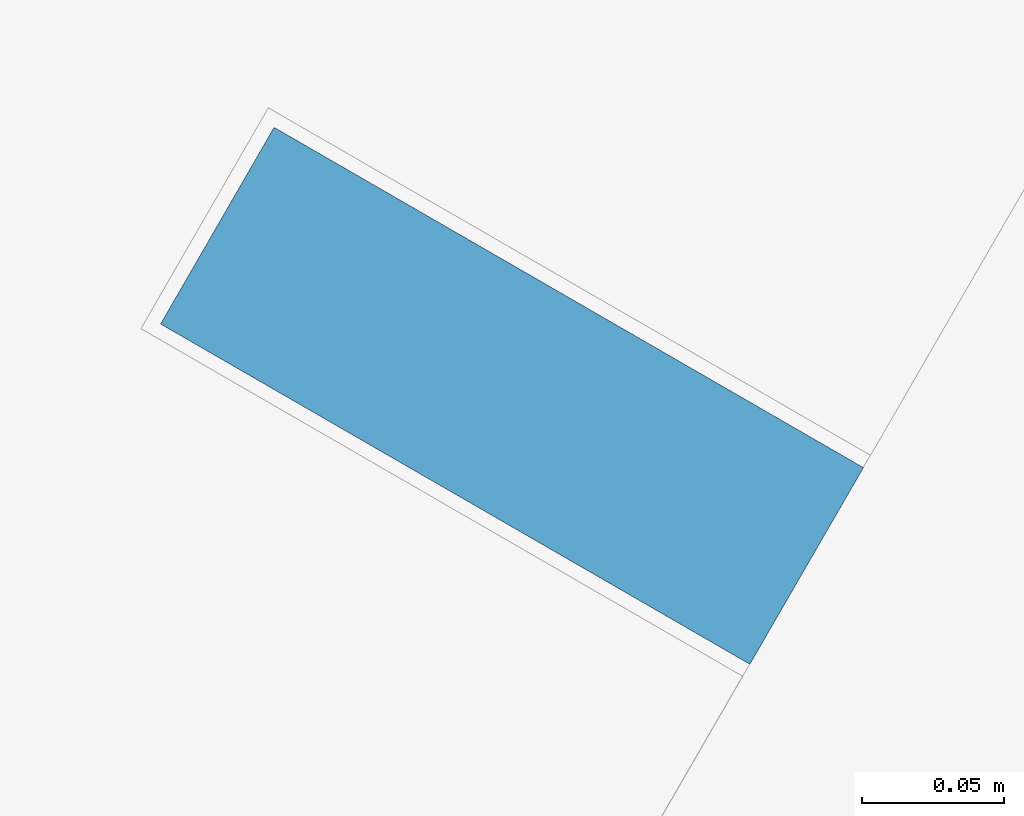
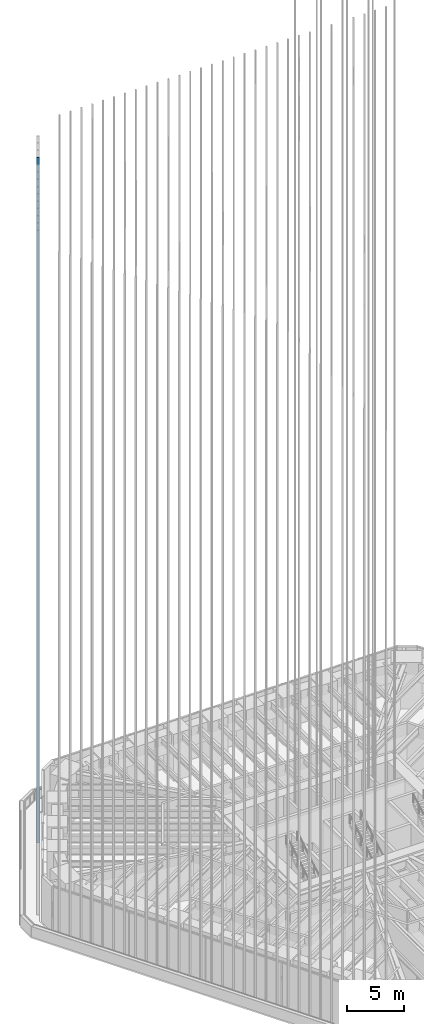
# One storey, part 148 of 228: 1 member, 1 element without a shape of its own.
"""IFC4 building model written with IfcOpenShell, lengths in metres."""

from ifc_helpers import new_model, si_unit, direction, frame, origin, origin_2d, place, context, subcontext, project, spatial, rectangle, extrude, material, material_profile, profile_set, type_object, element, aggregate, save


model = new_model("IFC4")

# Units and contexts
model_context = context("Model", 3, precision=1e-05, world=origin(), true_north=direction((0.0, 1.0)))
body_context = subcontext(model_context, "Body", "Model", "MODEL_VIEW")
ifc_project = project(units=[si_unit("LENGTHUNIT", "METRE"), si_unit("AREAUNIT", "SQUARE_METRE"), si_unit("VOLUMEUNIT", "CUBIC_METRE"), si_unit("PLANEANGLEUNIT", "RADIAN"), si_unit("MASSUNIT", "GRAM", prefix="KILO")], contexts=[model_context])

# Site, building, storey
site_placement = place(None, origin())
site = spatial("IfcSite", under=ifc_project, at=site_placement, CompositionType="ELEMENT")
building_placement = place(site_placement, origin())
building = spatial("IfcBuilding", under=site, at=building_placement, Name="Sandreach Pilgrim Tower", CompositionType="ELEMENT")
storey_placement = place(building_placement, frame((0.0, 0.0, 178.199951171875)))
storey = spatial("IfcBuildingStorey", under=building, at=storey_placement, Name="L44", CompositionType="ELEMENT", Elevation=178.199951171875)

# Curtain wall, member
ifc_material_1 = material(Name="Aluminium framed curtain wall", Category="aluminium")
curtain_wall_type = type_object("IfcCurtainWallType", Name="Upper hotel tower curtain wall", PredefinedType="NOTDEFINED", material=ifc_material_1)
curtain_wall_placement = place(storey_placement, origin())
curtain_wall = element("IfcCurtainWall", 1, at=curtain_wall_placement, inside=storey, type_object=curtain_wall_type, Name="CW-3 L44 NW", PredefinedType="NOTDEFINED")
ifc_material_2 = material(Name="Extruded terracotta on aluminium core", Category="masonry")
ifc_material_profile = material_profile(ifc_material_2, rectangle(XDim=0.080078125, YDim=0.239990234375, at=origin_2d()), Name="TBW 80X240")
ifc_profile_set = profile_set([ifc_material_profile], Name="Extruded terracotta on aluminium core")
member_type = type_object("IfcMemberType", Name="Terracotta baguette west", PredefinedType="USERDEFINED", material=ifc_profile_set)
member_placement = place(storey_placement, frame((-21.38916015625, 16.843017578125, 0.0), z_axis=(0.0, 0.0, 1.0), x_axis=(0.5, 0.866025403784, 0.0)))
member = element("IfcMember", 2, at=member_placement, type_object=member_type, Name="Baguette Z3 NW11", ObjectType="BAGUETTE", PredefinedType="USERDEFINED", context=body_context, shape_type="SweptSolid", body=[
    extrude(rectangle(XDim=0.080078125, YDim=0.239990234375, at=origin_2d()), origin(), (0.0, 0.0, 1.0), 73.239990234375),
])
aggregate(curtain_wall, [member])

save(model, "model.ifc")
